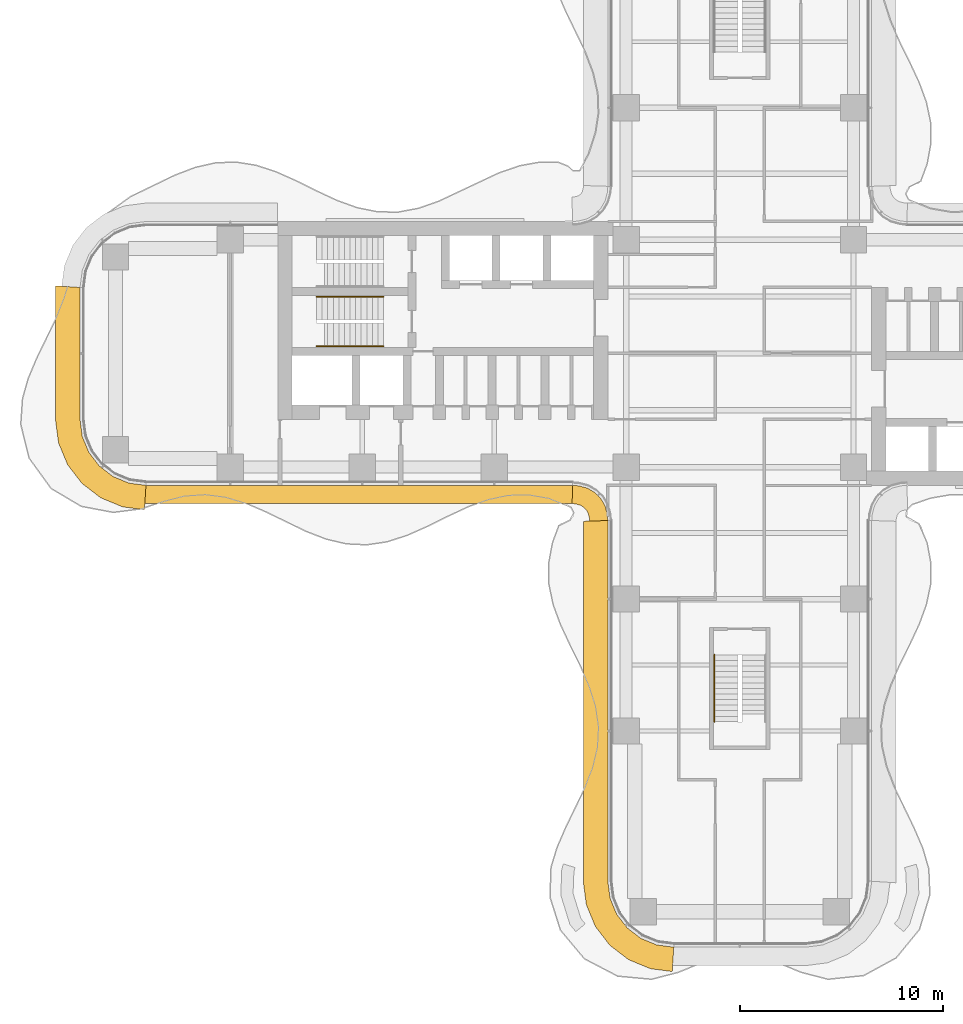
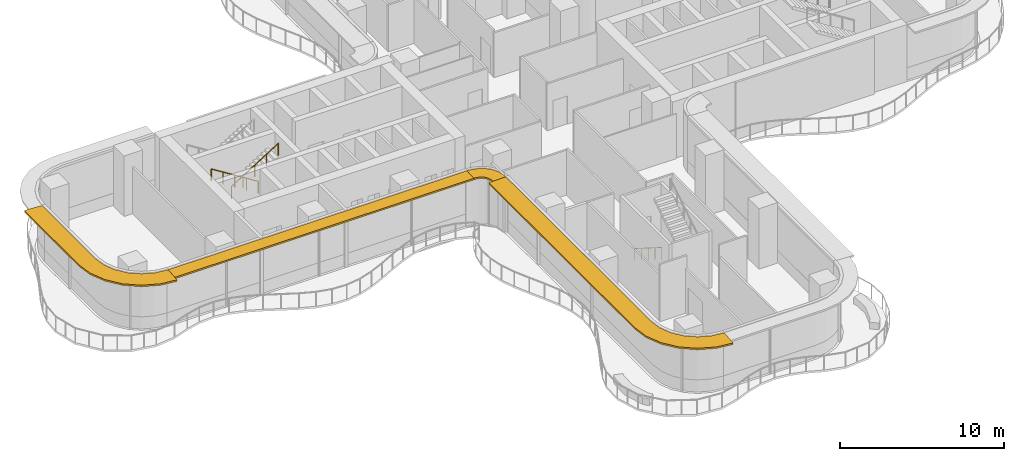
# One storey, part 20 of 21: 4 shading devices, 3 railings.
"""IFC4 building model written with IfcOpenShell, lengths in metres."""

import ifcopenshell
import ifcopenshell.guid

model = None  # the IFC model being written
_history = None  # IfcOwnerHistory: only IFC2X3 demands one
_inside = {}  # id of a spatial element -> (the spatial element, [elements in it])
_under = {}  # id of a project, library or spatial element -> (it, [spatial elements below it])
_declared = {}  # id of a project -> (the project, [libraries it declares])
_typed = {}  # id of a type object -> (the type object, [elements of that type])
_made_of = {}  # id of a material, layer set ... -> (it, [elements and type objects made of it])


def new_model(schema):
    """Start an empty IFC model of exactly this schema.

    Asked for "IFC4X3", IfcOpenShell would pick the latest addendum, in which some entities
    have other attributes; the version numbers below select the first issue.
    IFC2X3 requires an IfcOwnerHistory on every rooted entity: one is made here for all.
    """
    global model, _history
    if schema == "IFC4X3":
        model = ifcopenshell.file(schema_version=(4, 3, 0, 0))
    else:
        model = ifcopenshell.file(schema=schema)
    _inside.clear()
    _under.clear()
    _declared.clear()
    _typed.clear()
    _made_of.clear()
    _history = None
    if model.schema == "IFC2X3":
        org = make("IfcOrganization", Name="unknown")
        user = make(
            "IfcPersonAndOrganization",
            ThePerson=make("IfcPerson", FamilyName="unknown"),
            TheOrganization=org,
        )
        app = make(
            "IfcApplication",
            ApplicationDeveloper=org,
            Version="unknown",
            ApplicationFullName="unknown",
            ApplicationIdentifier="unknown",
        )
        _history = make(
            "IfcOwnerHistory",
            OwningUser=user,
            OwningApplication=app,
            ChangeAction="ADDED",
            CreationDate=0,
        )
    return model


def make(cls, **values):
    """One entity of the class cls with the attributes given. An attribute that is None is left unset."""
    return model.create_entity(
        cls, **{name: value for name, value in values.items() if value is not None}
    )


def rooted(cls, **values):
    """An entity with a GlobalId (a new one), such as an element, a storey or a relation."""
    return make(cls, GlobalId=ifcopenshell.guid.new(), OwnerHistory=_history, **values)


def si_unit(unit_type, name, prefix=None):
    """IfcSIUnit, for example si_unit("LENGTHUNIT", "METRE", prefix="MILLI")."""
    return make("IfcSIUnit", UnitType=unit_type, Prefix=prefix, Name=name)


def assignment(units):
    """IfcUnitAssignment: the units of a project."""
    return None if units is None else make("IfcUnitAssignment", Units=units)


def point(xyz):
    """IfcCartesianPoint."""
    return None if xyz is None else make("IfcCartesianPoint", Coordinates=xyz)


def direction(xyz):
    """IfcDirection."""
    return None if xyz is None else make("IfcDirection", DirectionRatios=xyz)


def frame(location, z_axis=None, x_axis=None):
    """IfcAxis2Placement3D, a coordinate frame: its origin and axes. An axis left out is left unset."""
    return make(
        "IfcAxis2Placement3D",
        Location=point(location),
        Axis=direction(z_axis),
        RefDirection=direction(x_axis),
    )


def frame_2d(location, x_axis=None):
    """IfcAxis2Placement2D, a coordinate frame in the plane: its origin and x axis."""
    return make(
        "IfcAxis2Placement2D", Location=point(location), RefDirection=direction(x_axis)
    )


def origin():
    """The frame at (0, 0, 0) with its axes left unset."""
    return frame((0.0, 0.0, 0.0))


def origin_2d():
    """The frame at (0, 0) in the plane with its x axis left unset."""
    return frame_2d((0.0, 0.0))


def place(relative_to, where):
    """IfcLocalPlacement: puts the frame where relative to a parent placement (None: the world)."""
    return make(
        "IfcLocalPlacement", PlacementRelTo=relative_to, RelativePlacement=where
    )


def context(
    kind, dimensions, precision=None, world=None, true_north=None, identifier=None
):
    """IfcGeometricRepresentationContext, for example the 3D "Model" context."""
    return make(
        "IfcGeometricRepresentationContext",
        ContextIdentifier=identifier,
        ContextType=kind,
        CoordinateSpaceDimension=dimensions,
        Precision=precision,
        WorldCoordinateSystem=world,
        TrueNorth=true_north,
    )


def subcontext(parent, identifier, kind, view, scale=None):
    """IfcGeometricRepresentationSubContext, for example "Body" below "Model"."""
    return make(
        "IfcGeometricRepresentationSubContext",
        ContextIdentifier=identifier,
        ContextType=kind,
        ParentContext=parent,
        TargetScale=scale,
        TargetView=view,
    )


def project(units=None, contexts=None):
    """IfcProject with its units and contexts."""
    return rooted(
        "IfcProject",
        Name="project",
        RepresentationContexts=contexts,
        UnitsInContext=assignment(units),
    )


def spatial(cls, under=None, at=None, **own):
    """A site, building, storey or space (cls), placed at a placement, below another one or the project."""
    s = rooted(cls, ObjectPlacement=at, **own)
    if under is not None:
        _under.setdefault(under.id(), (under, []))[1].append(s)
    return s


def polyline(points):
    """IfcPolyline through the points."""
    return make("IfcPolyline", Points=[point(p) for p in points])


def profile(cls, at=None, kind="AREA", **sizes):
    """A parametric profile (cls). Its sizes go by their IFC names, for example OverallWidth=200.0."""
    return make(cls, ProfileType=kind, Position=at, **sizes)


def circle(**sizes):
    """IfcCircleProfileDef."""
    return profile("IfcCircleProfileDef", **sizes)


def outline(outer, holes=None, kind="AREA"):
    """IfcArbitraryClosedProfileDef: a profile drawn as a closed curve; with holes, ...WithVoids."""
    if holes is None:
        return make("IfcArbitraryClosedProfileDef", ProfileType=kind, OuterCurve=outer)
    return make(
        "IfcArbitraryProfileDefWithVoids",
        ProfileType=kind,
        OuterCurve=outer,
        InnerCurves=holes,
    )


def extrude(swept, where, along, depth):
    """IfcExtrudedAreaSolid: the profile swept, set in the frame where, extruded along a direction by depth."""
    return make(
        "IfcExtrudedAreaSolid",
        SweptArea=swept,
        Position=where,
        ExtrudedDirection=direction(along),
        Depth=depth,
    )


def shape(context_of_items, identifier, shape_type, items):
    """IfcShapeRepresentation: the items that make up one representation, for example the "Body"."""
    return make(
        "IfcShapeRepresentation",
        ContextOfItems=context_of_items,
        RepresentationIdentifier=identifier,
        RepresentationType=shape_type,
        Items=items,
    )


def source(mapping_origin, context_of_items, identifier, shape_type, items):
    """IfcRepresentationMap: a shape defined once, which mapped items show again and again."""
    return make(
        "IfcRepresentationMap",
        MappingOrigin=mapping_origin,
        MappedRepresentation=shape(context_of_items, identifier, shape_type, items),
    )


def transform(
    local_origin,
    x_axis=None,
    y_axis=None,
    z_axis=None,
    scale=None,
    scale2=None,
    scale3=None,
    uniform=True,
):
    """IfcCartesianTransformationOperator3D, or its non-uniform kind. x_axis, y_axis, z_axis: its Axis1, 2, 3."""
    if uniform:
        return make(
            "IfcCartesianTransformationOperator3D",
            Axis1=direction(x_axis),
            Axis2=direction(y_axis),
            LocalOrigin=point(local_origin),
            Scale=scale,
            Axis3=direction(z_axis),
        )
    return make(
        "IfcCartesianTransformationOperator3DnonUniform",
        Axis1=direction(x_axis),
        Axis2=direction(y_axis),
        LocalOrigin=point(local_origin),
        Scale=scale,
        Axis3=direction(z_axis),
        Scale2=scale2,
        Scale3=scale3,
    )


def mapped(mapping_source, mapping_target):
    """IfcMappedItem: shows the shape of a source again, moved by a transform."""
    return make(
        "IfcMappedItem", MappingSource=mapping_source, MappingTarget=mapping_target
    )


def material(Name=None, Category=None):
    """IfcMaterial."""
    return make("IfcMaterial", Name=Name, Category=Category)


def layer(
    of_material, thickness, ventilated=None, Name=None, Category=None, Priority=None
):
    """IfcMaterialLayer: one layer of a wall or slab, of a material (None: an air gap)."""
    return make(
        "IfcMaterialLayer",
        Material=of_material,
        LayerThickness=thickness,
        IsVentilated=ventilated,
        Name=Name,
        Category=Category,
        Priority=Priority,
    )


def layer_set(layers, Name=None):
    """IfcMaterialLayerSet."""
    return make("IfcMaterialLayerSet", MaterialLayers=layers, LayerSetName=Name)


def made_of(thing, what):
    """Note that an element or type object is made of a material, layer set ...; save() writes the relation."""
    if what is not None:
        _made_of.setdefault(what.id(), (what, []))[1].append(thing)
    return thing


def type_object(cls, material=None, **own):
    """A type object (cls), such as IfcWallType, which elements share."""
    return made_of(rooted(cls, **own), material)


def element(
    cls,
    number,
    at=None,
    inside=None,
    cuts=None,
    type_object=None,
    material=None,
    context=None,
    identifier="Body",
    shape_type=None,
    held_by="IfcProductDefinitionShape",
    body=None,
    shapes=None,
    **own,
):
    """One element of the class cls, such as IfcWall. Its Tag is "e" and its number.

    at: its placement. inside: the storey or other place that contains it. cuts: it is an
    opening in that element (IfcRelVoidsElement). A single representation is given by context,
    identifier, shape_type and body (its items); several are given by shapes. held_by: the class
    of the entity that holds the representations. save() writes the other relations.
    """
    e = rooted(cls, Tag="e%d" % number, ObjectPlacement=at, **own)
    if body is not None:
        shapes = [shape(context, identifier, shape_type, body)]
    if shapes is not None:
        e.Representation = make(held_by, Representations=shapes)
    if inside is not None:
        _inside.setdefault(inside.id(), (inside, []))[1].append(e)
    if cuts is not None:
        rooted(
            "IfcRelVoidsElement", RelatingBuildingElement=cuts, RelatedOpeningElement=e
        )
    if type_object is not None:
        _typed.setdefault(type_object.id(), (type_object, []))[1].append(e)
    return made_of(e, material)


def aggregate(whole, parts):
    """IfcRelAggregates: a whole, such as a stair, and the parts it consists of."""
    return rooted("IfcRelAggregates", RelatingObject=whole, RelatedObjects=parts)


def save(model, path):
    """Write the relations noted so far, then the file.

    IfcRelAggregates (storeys below a building ...), IfcRelContainedInSpatialStructure (elements
    in a storey), IfcRelDefinesByType, IfcRelAssociatesMaterial and IfcRelDeclares: one each for
    every whole, place, type object, material and project.
    """
    for whole, parts in _under.values():
        aggregate(whole, parts)
    for where, things in _inside.values():
        rooted(
            "IfcRelContainedInSpatialStructure",
            RelatedElements=things,
            RelatingStructure=where,
        )
    for kind, things in _typed.values():
        rooted("IfcRelDefinesByType", RelatedObjects=things, RelatingType=kind)
    for what, things in _made_of.values():
        rooted("IfcRelAssociatesMaterial", RelatedObjects=things, RelatingMaterial=what)
    for by, libraries in _declared.values():
        rooted("IfcRelDeclares", RelatingContext=by, RelatedDefinitions=libraries)
    model.write(path)


model = new_model("IFC4")

# Units and contexts
model_context = context("Model", 3, precision=1e-05, world=origin(), true_north=direction((0.0, 1.0)))
body_context = subcontext(model_context, "Body", "Model", "MODEL_VIEW")
ifc_project = project(units=[si_unit("LENGTHUNIT", "METRE"), si_unit("AREAUNIT", "SQUARE_METRE"), si_unit("VOLUMEUNIT", "CUBIC_METRE"), si_unit("PLANEANGLEUNIT", "RADIAN"), si_unit("MASSUNIT", "GRAM", prefix="KILO")], contexts=[model_context])

# Site, building, storey
site_placement = place(None, origin())
site = spatial("IfcSite", under=ifc_project, at=site_placement, CompositionType="ELEMENT")
building_placement = place(site_placement, origin())
building = spatial("IfcBuilding", under=site, at=building_placement, Name="Trellis Farm Tower", CompositionType="ELEMENT")
storey_placement = place(building_placement, frame((0.0, 0.0, 115.5)))
storey = spatial("IfcBuildingStorey", under=building, at=storey_placement, Name="L24", CompositionType="ELEMENT", Elevation=115.5)

# Railings
ifc_material_1 = material(Name="Stainless steel", Category="steel")
railing_type = type_object("IfcRailingType", Name="STAIR HANDRAIL 900", PredefinedType="HANDRAIL", material=ifc_material_1)
shared_shape_1 = source(origin(), body_context, "Body", "SweptSolid", [
    extrude(circle(Radius=0.02392578125, at=origin_2d()), frame((0.0, 0.0, 0.8759765625), z_axis=(0.0, -0.846319618018, 0.532675421018), x_axis=(1.0, 0.0, 0.0)), (0.0, 0.0, 1.0), 3.89892578125),
    extrude(circle(Radius=0.02099609375, at=origin_2d()), origin(), (0.0, 0.0, 1.0), 0.851806640625),
    extrude(circle(Radius=0.02099609375, at=origin_2d()), frame((0.0, -0.824951171875, 0.519287109375)), (0.0, 0.0, 1.0), 0.851806640625),
    extrude(circle(Radius=0.02099609375, at=origin_2d()), frame((0.0, -1.64990234375, 1.03857421875)), (0.0, 0.0, 1.0), 0.851806640625),
    extrude(circle(Radius=0.02099609375, at=origin_2d()), frame((0.0, -2.474853515625, 1.5576171875)), (0.0, 0.0, 1.0), 0.851806640625),
    extrude(circle(Radius=0.02099609375, at=origin_2d()), frame((0.0, -3.2998046875, 2.076904296875)), (0.0, 0.0, 1.0), 0.851806640625),
])
railing_1_placement = place(storey_placement, frame((-1.25, -14.85009765625, 0.173095703125)))
element("IfcRailing", 1, at=railing_1_placement, inside=storey, type_object=railing_type, Name="Stair handrail", PredefinedType="HANDRAIL", context=body_context, shape_type="MappedRepresentation", body=[
    mapped(shared_shape_1, transform((0.0, 0.0, 0.0))),
])
shared_shape_2 = source(origin(), body_context, "Body", "SweptSolid", [
    extrude(circle(Radius=0.02392578125, at=origin_2d()), frame((0.0, 0.0, 0.8759765625), z_axis=(0.846337383501, 0.0, 0.532647194011), x_axis=(0.0, 1.0, 0.0)), (0.0, 0.0, 1.0), 3.899169921875),
    extrude(circle(Radius=0.02099609375, at=origin_2d()), origin(), (0.0, 0.0, 1.0), 0.851806640625),
    extrude(circle(Radius=0.02099609375, at=origin_2d()), frame((0.824951171875, 0.0, 0.519287109375)), (0.0, 0.0, 1.0), 0.851806640625),
    extrude(circle(Radius=0.02099609375, at=origin_2d()), frame((1.64990234375, 0.0, 1.03857421875)), (0.0, 0.0, 1.0), 0.851806640625),
    extrude(circle(Radius=0.02099609375, at=origin_2d()), frame((2.47509765625, 0.0, 1.5576171875)), (0.0, 0.0, 1.0), 0.851806640625),
    extrude(circle(Radius=0.02099609375, at=origin_2d()), frame((3.300048828125, 0.0, 2.076904296875)), (0.0, 0.0, 1.0), 0.851806640625),
])
railing_2_placement = place(storey_placement, frame((-20.85009765625, 0.35009765625, 2.423095703125)))
element("IfcRailing", 2, at=railing_2_placement, inside=storey, type_object=railing_type, Name="Stair handrail", PredefinedType="HANDRAIL", context=body_context, shape_type="MappedRepresentation", body=[
    mapped(shared_shape_2, transform((0.0, 0.0, 0.0))),
])
shared_shape_3 = source(origin(), body_context, "Body", "SweptSolid", [
    extrude(circle(Radius=0.02392578125, at=origin_2d()), frame((0.0, 0.0, 0.8759765625), z_axis=(-0.846337383501, 0.0, 0.532647194011), x_axis=(0.0, -1.0, 0.0)), (0.0, 0.0, 1.0), 3.899169921875),
    extrude(circle(Radius=0.02099609375, at=origin_2d()), origin(), (0.0, 0.0, 1.0), 0.851806640625),
    extrude(circle(Radius=0.02099609375, at=origin_2d()), frame((-0.824951171875, 0.0, 0.519287109375)), (0.0, 0.0, 1.0), 0.851806640625),
    extrude(circle(Radius=0.02099609375, at=origin_2d()), frame((-1.64990234375, 0.0, 1.03857421875)), (0.0, 0.0, 1.0), 0.851806640625),
    extrude(circle(Radius=0.02099609375, at=origin_2d()), frame((-2.47509765625, 0.0, 1.5576171875)), (0.0, 0.0, 1.0), 0.851806640625),
    extrude(circle(Radius=0.02099609375, at=origin_2d()), frame((-3.300048828125, 0.0, 2.076904296875)), (0.0, 0.0, 1.0), 0.851806640625),
])
railing_3_placement = place(storey_placement, frame((-17.550048828125, 2.800048828125, 0.173095703125)))
element("IfcRailing", 3, at=railing_3_placement, inside=storey, type_object=railing_type, Name="Stair handrail", PredefinedType="HANDRAIL", context=body_context, shape_type="MappedRepresentation", body=[
    mapped(shared_shape_3, transform((0.0, 0.0, 0.0))),
])

# Shading devices
ifc_material_2 = material(Name="Aluminium extrusion 6063-T6", Category="aluminium")
ifc_layer_1 = layer(ifc_material_2, 0.1201171875)
ifc_layer_set_1 = layer_set([ifc_layer_1], Name="SUNSHADE BLADE 900")
shading_device_type_1 = type_object("IfcShadingDeviceType", Name="SUNSHADE BLADE 900", PredefinedType="USERDEFINED", material=ifc_layer_set_1)
shared_shape_4 = source(origin(), body_context, "Body", "SweptSolid", [
    extrude(outline(polyline([(-29.30908203125, -7.39990234375), (-8.2607421875, -7.39990234375), (-8.2314453125, -6.5), (-29.25, -6.5), (-29.30908203125, -7.39990234375)])), origin(), (0.0, 0.0, 1.0), 0.119873046875),
])
placement = place(storey_placement, frame((0.0, 0.0, 4.090087890625)))
element("IfcShadingDevice", 4, at=placement, inside=storey, type_object=shading_device_type_1, Name="SD1 001", ObjectType="SUNSHADE", PredefinedType="USERDEFINED", context=body_context, shape_type="MappedRepresentation", body=[
    mapped(shared_shape_4, transform((0.0, 0.0, 0.0))),
])
shared_shape_5 = source(origin(), body_context, "Body", "SweptSolid", [
    extrude(outline(polyline([(-8.2607421875, -7.39990234375), (-8.107666015625, -7.409912109375), (-8.091552734375, -7.412109375), (-7.85595703125, -7.475341796875), (-7.697021484375, -7.567138671875), (-7.567138671875, -7.697021484375), (-7.475341796875, -7.85595703125), (-7.412109375, -8.091552734375), (-7.409912109375, -8.107666015625), (-7.39990234375, -8.2607421875), (-6.5, -8.2314453125), (-6.513916015625, -8.01953125), (-6.527587890625, -7.91552734375), (-6.63671875, -7.508544921875), (-6.846923828125, -7.144287109375), (-7.144287109375, -6.846923828125), (-7.508544921875, -6.63671875), (-7.91552734375, -6.527587890625), (-8.01953125, -6.513916015625), (-8.2314453125, -6.5), (-8.2607421875, -7.39990234375)])), origin(), (0.0, 0.0, 1.0), 0.119873046875),
])
element("IfcShadingDevice", 5, at=placement, inside=storey, type_object=shading_device_type_1, Name="SD1 002", ObjectType="SUNSHADE", PredefinedType="USERDEFINED", context=body_context, shape_type="MappedRepresentation", body=[
    mapped(shared_shape_5, transform((0.0, 0.0, 0.0))),
])
ifc_layer_2 = layer(ifc_material_2, 0.1201171875)
ifc_layer_set_2 = layer_set([ifc_layer_2], Name="SUNSHADE BLADE 1200")
shading_device_type_2 = type_object("IfcShadingDeviceType", Name="SUNSHADE BLADE 1200", PredefinedType="USERDEFINED", material=ifc_layer_set_2)
shared_shape_6 = source(origin(), body_context, "Body", "SweptSolid", [
    extrude(outline(polyline([(-7.699951171875, -8.270751953125), (-7.699951171875, -26.07861328125), (-7.558349609375, -27.154541015625), (-7.11279296875, -28.230224609375), (-6.404052734375, -29.154052734375), (-5.480224609375, -29.86279296875), (-4.404541015625, -30.308349609375), (-3.32861328125, -30.449951171875), (-3.25, -29.25), (-4.091064453125, -29.13916015625), (-4.875, -28.814697265625), (-5.548095703125, -28.298095703125), (-6.064697265625, -27.625), (-6.38916015625, -26.841064453125), (-6.5, -26.0), (-6.5, -8.2314453125), (-7.699951171875, -8.270751953125)])), origin(), (0.0, 0.0, 1.0), 0.119873046875),
])
element("IfcShadingDevice", 6, at=placement, inside=storey, type_object=shading_device_type_2, Name="SD2 003", ObjectType="SUNSHADE", PredefinedType="USERDEFINED", context=body_context, shape_type="MappedRepresentation", body=[
    mapped(shared_shape_6, transform((0.0, 0.0, 0.0))),
])
shared_shape_7 = source(origin(), body_context, "Body", "SweptSolid", [
    extrude(outline(polyline([(-33.699951171875, 3.32861328125), (-33.699951171875, -3.32861328125), (-33.558349609375, -4.404541015625), (-33.11279296875, -5.480224609375), (-32.404052734375, -6.404052734375), (-31.480224609375, -7.11279296875), (-30.404541015625, -7.558349609375), (-29.32861328125, -7.699951171875), (-29.25, -6.5), (-30.091064453125, -6.38916015625), (-30.875, -6.064697265625), (-31.548095703125, -5.548095703125), (-32.064697265625, -4.875), (-32.38916015625, -4.091064453125), (-32.5, -3.25), (-32.5, 3.25), (-33.699951171875, 3.32861328125)])), origin(), (0.0, 0.0, 1.0), 0.119873046875),
])
element("IfcShadingDevice", 7, at=placement, inside=storey, type_object=shading_device_type_2, Name="SD2 016", ObjectType="SUNSHADE", PredefinedType="USERDEFINED", context=body_context, shape_type="MappedRepresentation", body=[
    mapped(shared_shape_7, transform((0.0, 0.0, 0.0))),
])

save(model, "model.ifc")
